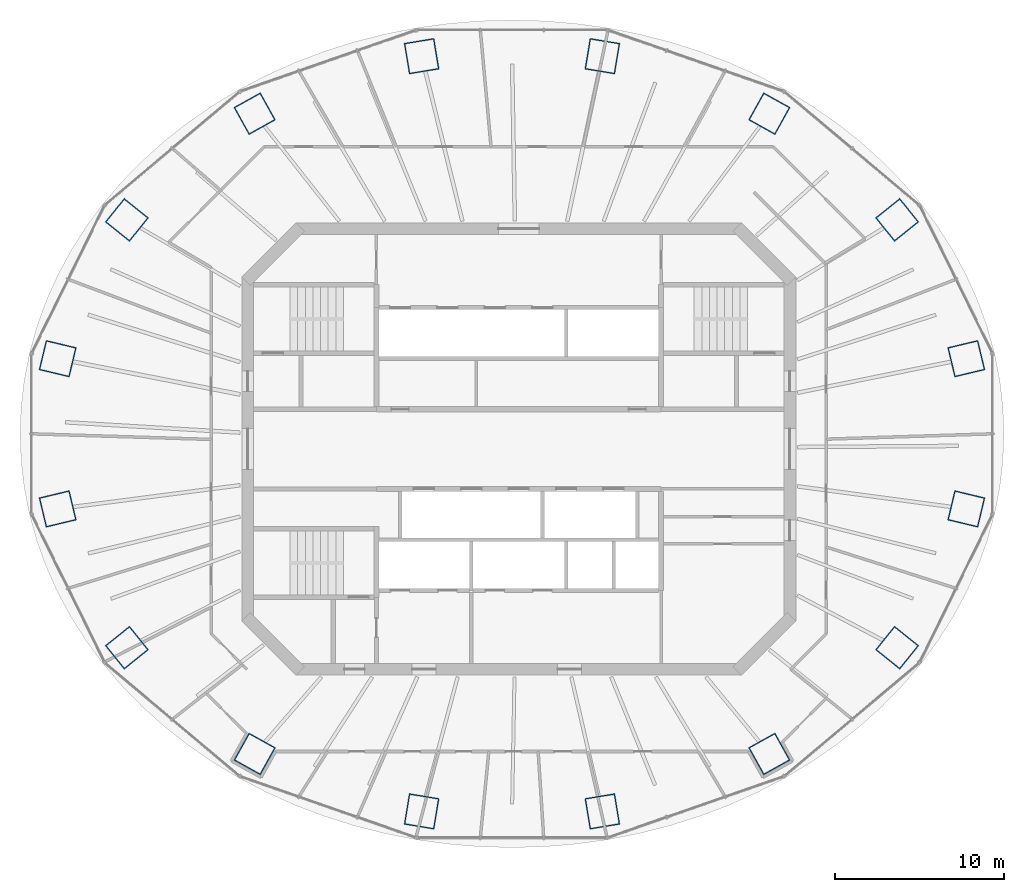
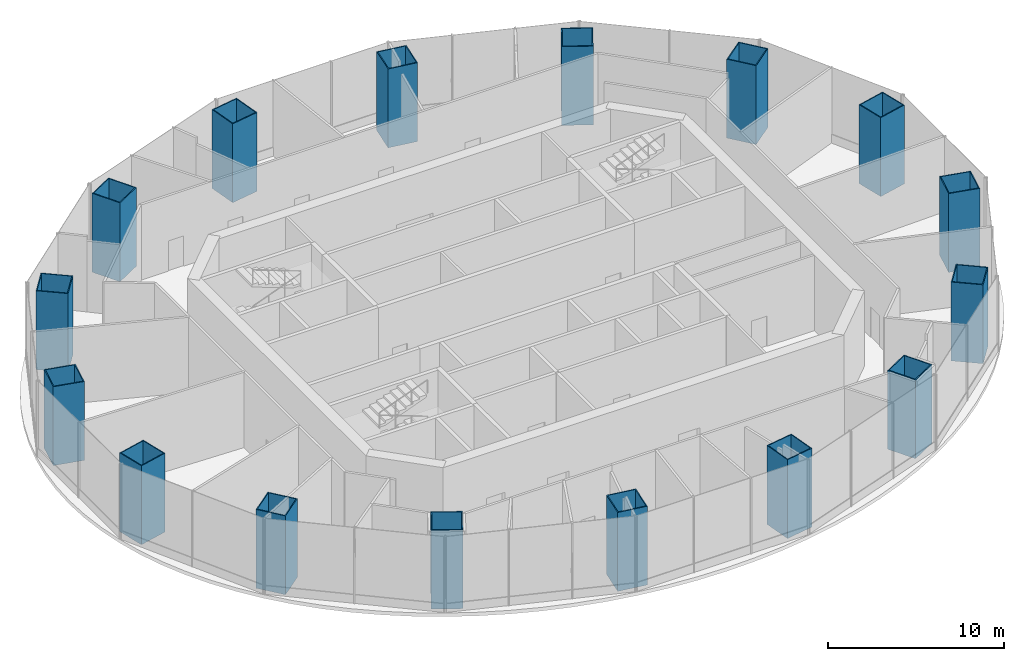
# One storey, part 1 of 12: 16 columns.
"""IFC4 building model written with IfcOpenShell, lengths in metres."""

from ifc_helpers import new_model, si_unit, direction, frame, origin, origin_2d, place, context, subcontext, project, spatial, rectangle, hollow_rectangle, extrude, material, material_profile, profile_set, type_object, element, save


model = new_model("IFC4")

# Units and contexts
model_context = context("Model", 3, precision=1e-05, world=origin(), true_north=direction((0.0, 1.0)))
body_context = subcontext(model_context, "Body", "Model", "MODEL_VIEW")
ifc_project = project(units=[si_unit("LENGTHUNIT", "METRE"), si_unit("AREAUNIT", "SQUARE_METRE"), si_unit("VOLUMEUNIT", "CUBIC_METRE"), si_unit("PLANEANGLEUNIT", "RADIAN"), si_unit("MASSUNIT", "GRAM", prefix="KILO")], contexts=[model_context])

# Site, building, storey
site_placement = place(None, origin())
site = spatial("IfcSite", under=ifc_project, at=site_placement, CompositionType="ELEMENT")
building_placement = place(site_placement, origin())
building = spatial("IfcBuilding", under=site, at=building_placement, Name="Marenthal Gate Tower", CompositionType="ELEMENT")
storey_placement = place(building_placement, frame((0.0, 0.0, 279.10009765625)))
storey = spatial("IfcBuildingStorey", under=building, at=storey_placement, Name="L62", CompositionType="ELEMENT", Elevation=279.10009765625)

# Columns
ifc_material_1 = material(Name="Steel S460", Category="steel")
ifc_material_profile_1 = material_profile(ifc_material_1, hollow_rectangle(XDim=1.800048828125, YDim=1.85009765625, WallThickness=0.06005859375, at=origin_2d()), Name="CFT BOX 1850X1800X60")
ifc_material_2 = material(Name="Concrete 70 MPa", Category="concrete")
ifc_material_profile_2 = material_profile(ifc_material_2, rectangle(XDim=1.679931640625, YDim=1.72998046875, at=origin_2d()), Name="CFT BOX 1850X1800X60 INFILL")
ifc_profile_set = profile_set([ifc_material_profile_1, ifc_material_profile_2], Name="Steel S460 shell, Concrete 70 MPa infill")
column_type = type_object("IfcColumnType", Name="CFT BOX 1850X1800X60", PredefinedType="COLUMN", material=ifc_profile_set)
for number, where, z_axis, x_axis, name in (
    (1, (26.41259765625, 5.3330078125, -0.25), (0.0, 0.0, 1.0), (0.23273930643, -0.972539158719, 0.0), "COL-L62-01"),
    (2, (22.330810546875, 13.524169921875, -0.25), (0.0, 0.0, 1.0), (0.626539879793, -0.779389362918, 0.0), "COL-L62-02"),
    (3, (14.7880859375, 19.79345703125, -0.25), (0.0, 0.0, 1.0), (0.874221721285, -0.485526911751, 0.0), "COL-L62-03"),
    (4, (4.933349609375, 23.186279296875, -0.25), (0.0, 0.0, 1.0), (0.986606346878, -0.163119331471, 0.0), "COL-L62-04"),
    (5, (-5.7333984375, 23.186279296875, -0.25), (0.0, 0.0, 1.0), (0.986606346878, 0.163119331471, 0.0), "COL-L62-05"),
    (6, (-15.588134765625, 19.79345703125, -0.25), (0.0, 0.0, 1.0), (0.874221721285, 0.485526911751, 0.0), "COL-L62-06"),
    (7, (-23.130615234375, 13.524169921875, -0.25), (0.0, 0.0, 1.0), (0.626539879793, 0.779389362918, 0.0), "COL-L62-07"),
    (8, (-27.212646484375, 5.3330078125, -0.25), (0.0, 0.0, 1.0), (0.23273930643, 0.972539158719, 0.0), "COL-L62-08"),
    (9, (-27.212646484375, -3.532958984375, -0.25), (0.0, 0.0, 1.0), (-0.23273930643, 0.972539158719, 0.0), "COL-L62-09"),
    (10, (-23.130615234375, -11.72412109375, -0.25), (0.0, 0.0, 1.0), (-0.626539879793, 0.779389362918, 0.0), "COL-L62-10"),
    (11, (-15.588134765625, -17.993408203125, -0.25), (0.0, 0.0, 1.0), (-0.874221721285, 0.485526911751, 0.0), "COL-L62-11"),
    (12, (-5.7333984375, -21.386474609375, -0.25), (0.0, 0.0, 1.0), (-0.986606346878, 0.163119331471, 0.0), "COL-L62-12"),
    (13, (4.933349609375, -21.386474609375, -0.25), (0.0, 0.0, 1.0), (-0.986606346878, -0.163119331471, 0.0), "COL-L62-13"),
    (14, (14.7880859375, -17.993408203125, -0.25), (0.0, 0.0, 1.0), (-0.874221721285, -0.485526911751, 0.0), "COL-L62-14"),
    (15, (22.330810546875, -11.72412109375, -0.25), (0.0, 0.0, 1.0), (-0.626539879793, -0.779389362918, 0.0), "COL-L62-15"),
    (16, (26.41259765625, -3.532958984375, -0.25), (0.0, 0.0, 1.0), (-0.23273930643, -0.972539158719, 0.0), "COL-L62-16"),
):
    element("IfcColumn", number, at=place(storey_placement, frame(where, z_axis=z_axis, x_axis=x_axis)), inside=storey, type_object=column_type, Name=name, PredefinedType="COLUMN", context=body_context, shape_type="SweptSolid", body=[
        extrude(hollow_rectangle(XDim=1.800048828125, YDim=1.85009765625, WallThickness=0.06005859375, at=origin_2d()), origin(), (0.0, 0.0, 1.0), 5.469970703125),
    ])

save(model, "model.ifc")
